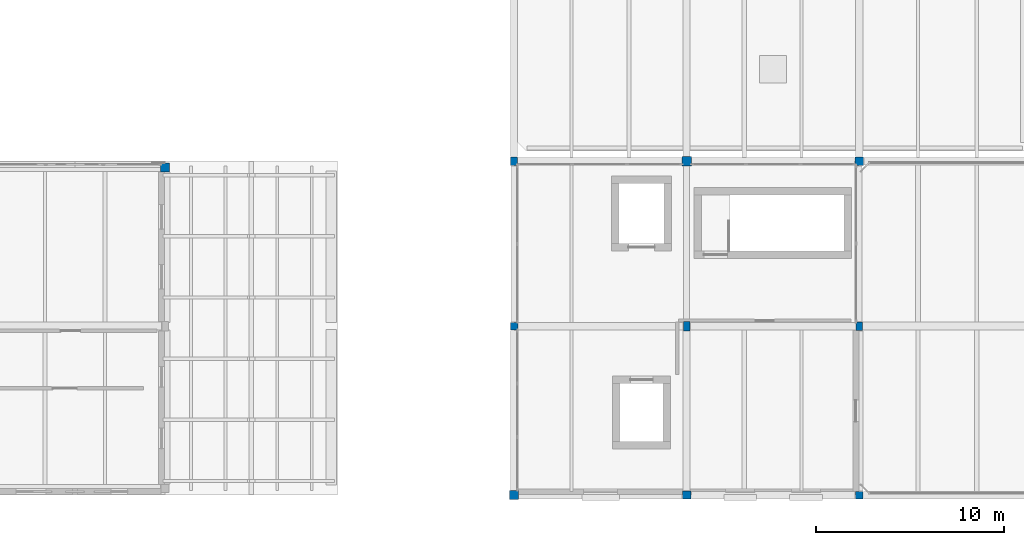
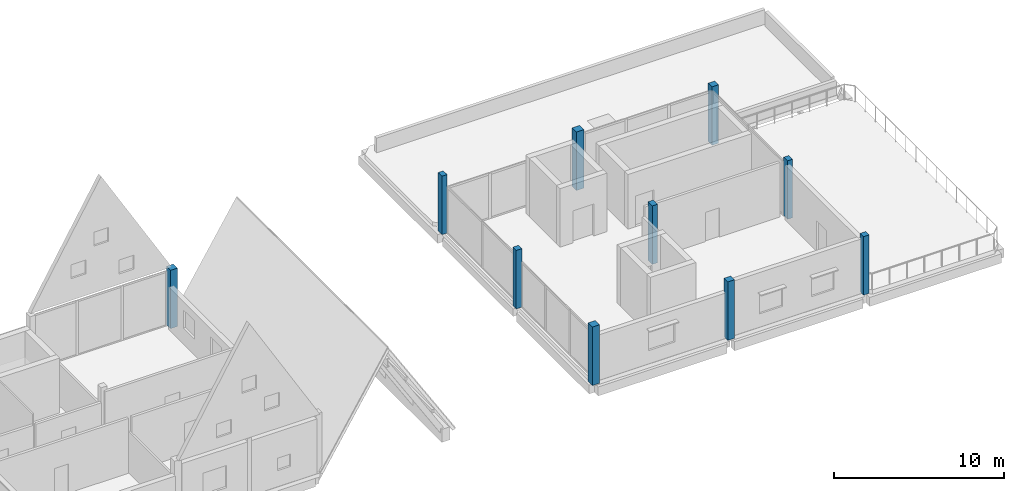
# One storey, part 2 of 23: 10 columns.
"""IFC4 building model written with IfcOpenShell, lengths in metres."""

from ifc_helpers import new_model, si_unit, direction, frame, origin, origin_2d, place, context, subcontext, project, spatial, rectangle, extrude, material, material_profile, profile_set, type_object, element, save


model = new_model("IFC4")

# Units and contexts
model_context = context("Model", 3, precision=1e-05, world=origin(), true_north=direction((0.0, 1.0)))
body_context = subcontext(model_context, "Body", "Model", "MODEL_VIEW")
ifc_project = project(units=[si_unit("LENGTHUNIT", "METRE"), si_unit("AREAUNIT", "SQUARE_METRE"), si_unit("VOLUMEUNIT", "CUBIC_METRE"), si_unit("PLANEANGLEUNIT", "RADIAN"), si_unit("MASSUNIT", "GRAM", prefix="KILO")], contexts=[model_context])

# Site, building, storey
site_placement = place(None, origin())
site = spatial("IfcSite", under=ifc_project, at=site_placement, CompositionType="ELEMENT")
building_placement = place(site_placement, origin())
building = spatial("IfcBuilding", under=site, at=building_placement, Name="Birchvale Park Specialist Clinic", CompositionType="ELEMENT")
storey_placement = place(building_placement, frame((0.0, 0.0, 18.0)))
storey = spatial("IfcBuildingStorey", under=building, at=storey_placement, Name="L04", CompositionType="ELEMENT", Elevation=18.0)

# Columns
ifc_material = material(Name="Concrete C40/50", Category="concrete")
ifc_material_profile_1 = material_profile(ifc_material, rectangle(XDim=0.47998046875, YDim=0.47998046875, at=origin_2d()), Name="RC-480x480")
ifc_profile_set_1 = profile_set([ifc_material_profile_1], Name="Concrete C40/50")
column_type_1 = type_object("IfcColumnType", Name="COL-EXT-C05", PredefinedType="COLUMN", material=ifc_profile_set_1)
column_1_placement = place(storey_placement, frame((109.39990234375, 34.25, 0.0), z_axis=(0.0, 0.0, 1.0), x_axis=(1.0, 0.0, 0.0)))
element("IfcColumn", 1, at=column_1_placement, inside=storey, type_object=column_type_1, Name="V4 L04 column 18", PredefinedType="COLUMN", context=body_context, shape_type="SweptSolid", body=[
    extrude(rectangle(XDim=0.47998046875, YDim=0.47998046875, at=origin_2d()), origin(), (0.0, 0.0, 1.0), 4.199951171875),
])
ifc_material_profile_2 = material_profile(ifc_material, rectangle(XDim=0.5, YDim=0.5, at=origin_2d()), Name="RC-500x500")
ifc_profile_set_2 = profile_set([ifc_material_profile_2], Name="Concrete C40/50")
column_type_2 = type_object("IfcColumnType", Name="COL-INT-C05", PredefinedType="COLUMN", material=ifc_profile_set_2)
for number, where, z_axis, x_axis, name in (
    (2, (128.0, 16.800048828125, 0.0), (0.0, 0.0, 1.0), (1.0, 0.0, 0.0), "V5 L04 column 1"),
    (3, (137.199951171875, 34.60009765625, 0.0), (0.0, 0.0, 1.0), (1.0, 0.0, 0.0), "V5 L04 column 6"),
):
    element("IfcColumn", number, at=place(storey_placement, frame(where, z_axis=z_axis, x_axis=x_axis)), inside=storey, type_object=column_type_2, Name=name, PredefinedType="COLUMN", context=body_context, shape_type="SweptSolid", body=[
        extrude(rectangle(XDim=0.5, YDim=0.5, at=origin_2d()), origin(), (0.0, 0.0, 1.0), 4.199951171875),
    ])
ifc_material_profile_3 = material_profile(ifc_material, rectangle(XDim=0.449951171875, YDim=0.449951171875, at=origin_2d()), Name="RC-450x450")
ifc_profile_set_3 = profile_set([ifc_material_profile_3], Name="Concrete C40/50")
column_type_3 = type_object("IfcColumnType", Name="COL-INT-C06", PredefinedType="COLUMN", material=ifc_profile_set_3)
for number, where, z_axis, x_axis, name in (
    (4, (137.199951171875, 16.800048828125, 0.0), (0.0, 0.0, 1.0), (1.0, 0.0, 0.0), "V5 L04 column 4"),
    (5, (146.39990234375, 34.60009765625, 0.0), (0.0, 0.0, 1.0), (1.0, 0.0, 0.0), "V5 L04 column 9"),
):
    element("IfcColumn", number, at=place(storey_placement, frame(where, z_axis=z_axis, x_axis=x_axis)), inside=storey, type_object=column_type_3, Name=name, PredefinedType="COLUMN", context=body_context, shape_type="SweptSolid", body=[
        extrude(rectangle(XDim=0.449951171875, YDim=0.449951171875, at=origin_2d()), origin(), (0.0, 0.0, 1.0), 4.199951171875),
    ])
ifc_material_profile_4 = material_profile(ifc_material, rectangle(XDim=0.39990234375, YDim=0.39990234375, at=origin_2d()), Name="RC-400x400")
ifc_profile_set_4 = profile_set([ifc_material_profile_4], Name="Concrete C40/50")
column_type_4 = type_object("IfcColumnType", Name="COL-INT-C07", PredefinedType="COLUMN", material=ifc_profile_set_4)
for number, where, z_axis, x_axis, name in (
    (6, (128.0, 25.800048828125, 0.0), (0.0, 0.0, 1.0), (1.0, 0.0, 0.0), "V5 L04 column 2"),
    (7, (146.39990234375, 16.800048828125, 0.0), (0.0, 0.0, 1.0), (1.0, 0.0, 0.0), "V5 L04 column 7"),
):
    element("IfcColumn", number, at=place(storey_placement, frame(where, z_axis=z_axis, x_axis=x_axis)), inside=storey, type_object=column_type_4, Name=name, PredefinedType="COLUMN", context=body_context, shape_type="SweptSolid", body=[
        extrude(rectangle(XDim=0.39990234375, YDim=0.39990234375, at=origin_2d()), origin(), (0.0, 0.0, 1.0), 4.199951171875),
    ])
ifc_material_profile_5 = material_profile(ifc_material, rectangle(XDim=0.35009765625, YDim=0.5, at=origin_2d()), Name="RC-350x500")
ifc_profile_set_5 = profile_set([ifc_material_profile_5], Name="Concrete C40/50")
column_type_5 = type_object("IfcColumnType", Name="COL-INT-C11", PredefinedType="COLUMN", material=ifc_profile_set_5)
column_2_placement = place(storey_placement, frame((137.199951171875, 25.800048828125, 0.0), z_axis=(0.0, 0.0, 1.0), x_axis=(1.0, 0.0, 0.0)))
element("IfcColumn", 8, at=column_2_placement, inside=storey, type_object=column_type_5, Name="V5 L04 column 5", PredefinedType="COLUMN", context=body_context, shape_type="SweptSolid", body=[
    extrude(rectangle(XDim=0.35009765625, YDim=0.5, at=origin_2d()), origin(), (0.0, 0.0, 1.0), 4.199951171875),
])
ifc_material_profile_6 = material_profile(ifc_material, rectangle(XDim=0.35009765625, YDim=0.449951171875, at=origin_2d()), Name="RC-350x450")
ifc_profile_set_6 = profile_set([ifc_material_profile_6], Name="Concrete C40/50")
column_type_6 = type_object("IfcColumnType", Name="COL-INT-C12", PredefinedType="COLUMN", material=ifc_profile_set_6)
for number, where, z_axis, x_axis, name in (
    (9, (128.0, 34.60009765625, 0.0), (0.0, 0.0, 1.0), (1.0, 0.0, 0.0), "V5 L04 column 3"),
    (10, (146.39990234375, 25.800048828125, 0.0), (0.0, 0.0, 1.0), (1.0, 0.0, 0.0), "V5 L04 column 8"),
):
    element("IfcColumn", number, at=place(storey_placement, frame(where, z_axis=z_axis, x_axis=x_axis)), inside=storey, type_object=column_type_6, Name=name, PredefinedType="COLUMN", context=body_context, shape_type="SweptSolid", body=[
        extrude(rectangle(XDim=0.35009765625, YDim=0.449951171875, at=origin_2d()), origin(), (0.0, 0.0, 1.0), 4.199951171875),
    ])

save(model, "model.ifc")
